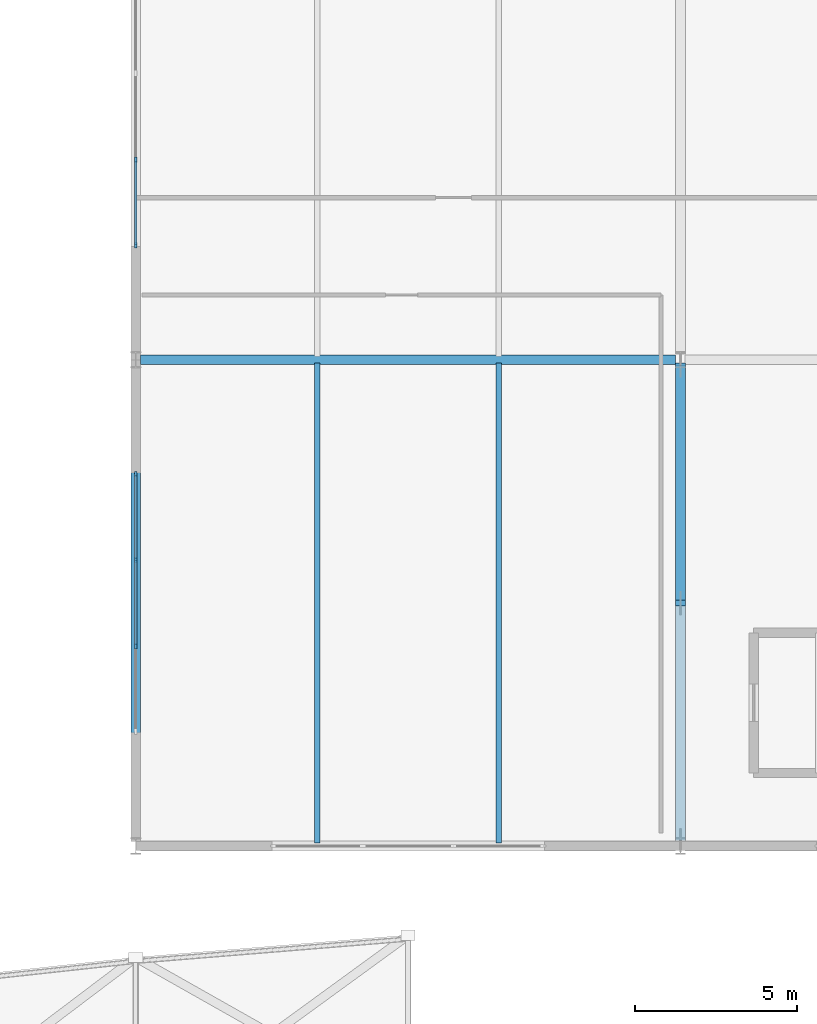
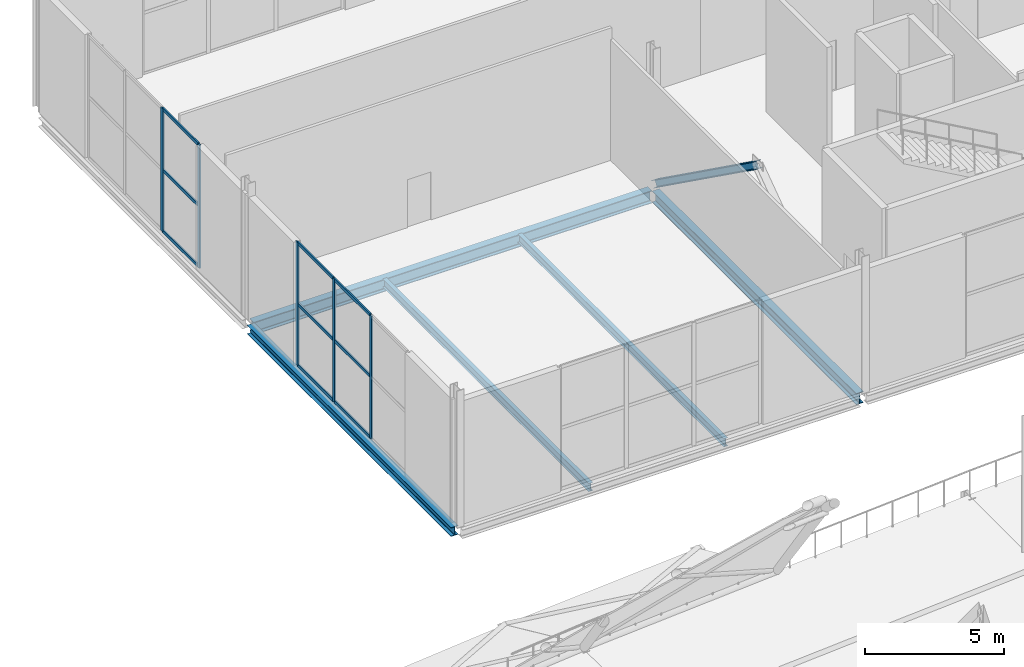
# One storey, part 29 of 100: 15 members, 5 beams, 2 elements without a shape of their own.
"""IFC4 building model written with IfcOpenShell, lengths in metres."""

import ifcopenshell
import ifcopenshell.guid

model = None  # the IFC model being written
_history = None  # IfcOwnerHistory: only IFC2X3 demands one
_inside = {}  # id of a spatial element -> (the spatial element, [elements in it])
_under = {}  # id of a project, library or spatial element -> (it, [spatial elements below it])
_declared = {}  # id of a project -> (the project, [libraries it declares])
_typed = {}  # id of a type object -> (the type object, [elements of that type])
_made_of = {}  # id of a material, layer set ... -> (it, [elements and type objects made of it])


def new_model(schema):
    """Start an empty IFC model of exactly this schema.

    Asked for "IFC4X3", IfcOpenShell would pick the latest addendum, in which some entities
    have other attributes; the version numbers below select the first issue.
    IFC2X3 requires an IfcOwnerHistory on every rooted entity: one is made here for all.
    """
    global model, _history
    if schema == "IFC4X3":
        model = ifcopenshell.file(schema_version=(4, 3, 0, 0))
    else:
        model = ifcopenshell.file(schema=schema)
    _inside.clear()
    _under.clear()
    _declared.clear()
    _typed.clear()
    _made_of.clear()
    _history = None
    if model.schema == "IFC2X3":
        org = make("IfcOrganization", Name="unknown")
        user = make(
            "IfcPersonAndOrganization",
            ThePerson=make("IfcPerson", FamilyName="unknown"),
            TheOrganization=org,
        )
        app = make(
            "IfcApplication",
            ApplicationDeveloper=org,
            Version="unknown",
            ApplicationFullName="unknown",
            ApplicationIdentifier="unknown",
        )
        _history = make(
            "IfcOwnerHistory",
            OwningUser=user,
            OwningApplication=app,
            ChangeAction="ADDED",
            CreationDate=0,
        )
    return model


def make(cls, **values):
    """One entity of the class cls with the attributes given. An attribute that is None is left unset."""
    return model.create_entity(
        cls, **{name: value for name, value in values.items() if value is not None}
    )


def rooted(cls, **values):
    """An entity with a GlobalId (a new one), such as an element, a storey or a relation."""
    return make(cls, GlobalId=ifcopenshell.guid.new(), OwnerHistory=_history, **values)


def si_unit(unit_type, name, prefix=None):
    """IfcSIUnit, for example si_unit("LENGTHUNIT", "METRE", prefix="MILLI")."""
    return make("IfcSIUnit", UnitType=unit_type, Prefix=prefix, Name=name)


def assignment(units):
    """IfcUnitAssignment: the units of a project."""
    return None if units is None else make("IfcUnitAssignment", Units=units)


def point(xyz):
    """IfcCartesianPoint."""
    return None if xyz is None else make("IfcCartesianPoint", Coordinates=xyz)


def direction(xyz):
    """IfcDirection."""
    return None if xyz is None else make("IfcDirection", DirectionRatios=xyz)


def frame(location, z_axis=None, x_axis=None):
    """IfcAxis2Placement3D, a coordinate frame: its origin and axes. An axis left out is left unset."""
    return make(
        "IfcAxis2Placement3D",
        Location=point(location),
        Axis=direction(z_axis),
        RefDirection=direction(x_axis),
    )


def frame_2d(location, x_axis=None):
    """IfcAxis2Placement2D, a coordinate frame in the plane: its origin and x axis."""
    return make(
        "IfcAxis2Placement2D", Location=point(location), RefDirection=direction(x_axis)
    )


def origin():
    """The frame at (0, 0, 0) with its axes left unset."""
    return frame((0.0, 0.0, 0.0))


def origin_2d():
    """The frame at (0, 0) in the plane with its x axis left unset."""
    return frame_2d((0.0, 0.0))


def place(relative_to, where):
    """IfcLocalPlacement: puts the frame where relative to a parent placement (None: the world)."""
    return make(
        "IfcLocalPlacement", PlacementRelTo=relative_to, RelativePlacement=where
    )


def context(
    kind, dimensions, precision=None, world=None, true_north=None, identifier=None
):
    """IfcGeometricRepresentationContext, for example the 3D "Model" context."""
    return make(
        "IfcGeometricRepresentationContext",
        ContextIdentifier=identifier,
        ContextType=kind,
        CoordinateSpaceDimension=dimensions,
        Precision=precision,
        WorldCoordinateSystem=world,
        TrueNorth=true_north,
    )


def subcontext(parent, identifier, kind, view, scale=None):
    """IfcGeometricRepresentationSubContext, for example "Body" below "Model"."""
    return make(
        "IfcGeometricRepresentationSubContext",
        ContextIdentifier=identifier,
        ContextType=kind,
        ParentContext=parent,
        TargetScale=scale,
        TargetView=view,
    )


def project(units=None, contexts=None):
    """IfcProject with its units and contexts."""
    return rooted(
        "IfcProject",
        Name="project",
        RepresentationContexts=contexts,
        UnitsInContext=assignment(units),
    )


def spatial(cls, under=None, at=None, **own):
    """A site, building, storey or space (cls), placed at a placement, below another one or the project."""
    s = rooted(cls, ObjectPlacement=at, **own)
    if under is not None:
        _under.setdefault(under.id(), (under, []))[1].append(s)
    return s


def profile(cls, at=None, kind="AREA", **sizes):
    """A parametric profile (cls). Its sizes go by their IFC names, for example OverallWidth=200.0."""
    return make(cls, ProfileType=kind, Position=at, **sizes)


def rectangle(**sizes):
    """IfcRectangleProfileDef."""
    return profile("IfcRectangleProfileDef", **sizes)


def i_section(**sizes):
    """IfcIShapeProfileDef."""
    return profile("IfcIShapeProfileDef", **sizes)


def extrude(swept, where, along, depth):
    """IfcExtrudedAreaSolid: the profile swept, set in the frame where, extruded along a direction by depth."""
    return make(
        "IfcExtrudedAreaSolid",
        SweptArea=swept,
        Position=where,
        ExtrudedDirection=direction(along),
        Depth=depth,
    )


def shape(context_of_items, identifier, shape_type, items):
    """IfcShapeRepresentation: the items that make up one representation, for example the "Body"."""
    return make(
        "IfcShapeRepresentation",
        ContextOfItems=context_of_items,
        RepresentationIdentifier=identifier,
        RepresentationType=shape_type,
        Items=items,
    )


def material(Name=None, Category=None):
    """IfcMaterial."""
    return make("IfcMaterial", Name=Name, Category=Category)


def material_profile(
    of_material, cross_section, Name=None, Category=None, Priority=None
):
    """IfcMaterialProfile: a cross section and its material."""
    return make(
        "IfcMaterialProfile",
        Name=Name,
        Material=of_material,
        Profile=cross_section,
        Priority=Priority,
        Category=Category,
    )


def profile_set(profiles, Name=None, composite=None):
    """IfcMaterialProfileSet."""
    return make(
        "IfcMaterialProfileSet",
        Name=Name,
        MaterialProfiles=profiles,
        CompositeProfile=composite,
    )


def made_of(thing, what):
    """Note that an element or type object is made of a material, layer set ...; save() writes the relation."""
    if what is not None:
        _made_of.setdefault(what.id(), (what, []))[1].append(thing)
    return thing


def type_object(cls, material=None, **own):
    """A type object (cls), such as IfcWallType, which elements share."""
    return made_of(rooted(cls, **own), material)


def element(
    cls,
    number,
    at=None,
    inside=None,
    cuts=None,
    type_object=None,
    material=None,
    context=None,
    identifier="Body",
    shape_type=None,
    held_by="IfcProductDefinitionShape",
    body=None,
    shapes=None,
    **own,
):
    """One element of the class cls, such as IfcWall. Its Tag is "e" and its number.

    at: its placement. inside: the storey or other place that contains it. cuts: it is an
    opening in that element (IfcRelVoidsElement). A single representation is given by context,
    identifier, shape_type and body (its items); several are given by shapes. held_by: the class
    of the entity that holds the representations. save() writes the other relations.
    """
    e = rooted(cls, Tag="e%d" % number, ObjectPlacement=at, **own)
    if body is not None:
        shapes = [shape(context, identifier, shape_type, body)]
    if shapes is not None:
        e.Representation = make(held_by, Representations=shapes)
    if inside is not None:
        _inside.setdefault(inside.id(), (inside, []))[1].append(e)
    if cuts is not None:
        rooted(
            "IfcRelVoidsElement", RelatingBuildingElement=cuts, RelatedOpeningElement=e
        )
    if type_object is not None:
        _typed.setdefault(type_object.id(), (type_object, []))[1].append(e)
    return made_of(e, material)


def aggregate(whole, parts):
    """IfcRelAggregates: a whole, such as a stair, and the parts it consists of."""
    return rooted("IfcRelAggregates", RelatingObject=whole, RelatedObjects=parts)


def save(model, path):
    """Write the relations noted so far, then the file.

    IfcRelAggregates (storeys below a building ...), IfcRelContainedInSpatialStructure (elements
    in a storey), IfcRelDefinesByType, IfcRelAssociatesMaterial and IfcRelDeclares: one each for
    every whole, place, type object, material and project.
    """
    for whole, parts in _under.values():
        aggregate(whole, parts)
    for where, things in _inside.values():
        rooted(
            "IfcRelContainedInSpatialStructure",
            RelatedElements=things,
            RelatingStructure=where,
        )
    for kind, things in _typed.values():
        rooted("IfcRelDefinesByType", RelatedObjects=things, RelatingType=kind)
    for what, things in _made_of.values():
        rooted("IfcRelAssociatesMaterial", RelatedObjects=things, RelatingMaterial=what)
    for by, libraries in _declared.values():
        rooted("IfcRelDeclares", RelatingContext=by, RelatedDefinitions=libraries)
    model.write(path)


model = new_model("IFC4")

# Units and contexts
model_context = context("Model", 3, precision=1e-05, world=origin(), true_north=direction((0.0, 1.0)))
body_context = subcontext(model_context, "Body", "Model", "MODEL_VIEW")
ifc_project = project(units=[si_unit("LENGTHUNIT", "METRE"), si_unit("AREAUNIT", "SQUARE_METRE"), si_unit("VOLUMEUNIT", "CUBIC_METRE"), si_unit("PLANEANGLEUNIT", "RADIAN"), si_unit("MASSUNIT", "GRAM", prefix="KILO")], contexts=[model_context])

# Site, building, storey
site_placement = place(None, origin())
site = spatial("IfcSite", under=ifc_project, at=site_placement, CompositionType="ELEMENT")
building_placement = place(site_placement, origin())
building = spatial("IfcBuilding", under=site, at=building_placement, Name="Kimbaza Rail Terminus", CompositionType="ELEMENT")
storey_placement = place(building_placement, frame((0.0, 0.0, 10.800048828125)))
storey = spatial("IfcBuildingStorey", under=building, at=storey_placement, Name="L02", CompositionType="ELEMENT", Elevation=10.800048828125)

# Curtain wall, members
ifc_material_1 = material(Name="Anodised aluminium framing and solar low-E glazing", Category="aluminium")
curtain_wall_type = type_object("IfcCurtainWallType", Name="ARC-CW-OP1", PredefinedType="USERDEFINED", material=ifc_material_1)
curtain_wall_1_placement = place(storey_placement, origin())
curtain_wall_1 = element("IfcCurtainWall", 1, at=curtain_wall_1_placement, inside=storey, type_object=curtain_wall_type, Name="Operations W Curtain Wall L02.1", ObjectType="UNITISED CURTAIN WALL", PredefinedType="USERDEFINED")
ifc_material_2 = material(Name="Anodised architectural aluminium", Category="aluminium")
ifc_material_profile_1 = material_profile(ifc_material_2, rectangle(XDim=0.06201171875, YDim=0.1650390625, at=origin_2d()), Name="MULLION 62x165")
ifc_profile_set_1 = profile_set([ifc_material_profile_1], Name="Anodised architectural aluminium")
member_type_1 = type_object("IfcMemberType", Name="ARC-CWM-05", PredefinedType="MULLION", material=ifc_profile_set_1)
member_1_placement = place(storey_placement, frame((55.199951171875, 109.166748046875, 0.0), z_axis=(0.0, 0.0, 1.0), x_axis=(-1.0, 0.0, 0.0)))
member_1 = element("IfcMember", 2, at=member_1_placement, type_object=member_type_1, Name="CW-05 mullion 2", PredefinedType="MULLION", context=body_context, shape_type="SweptSolid", body=[
    extrude(rectangle(XDim=0.06201171875, YDim=0.1650390625, at=origin_2d()), origin(), (0.0, 0.0, 1.0), 5.405029296875),
])
member_2_placement = place(storey_placement, frame((55.199951171875, 111.833251953125, 0.0), z_axis=(0.0, 0.0, 1.0), x_axis=(-1.0, 0.0, 0.0)))
member_2 = element("IfcMember", 3, at=member_2_placement, type_object=member_type_1, Name="CW-05 mullion 3", PredefinedType="MULLION", context=body_context, shape_type="SweptSolid", body=[
    extrude(rectangle(XDim=0.06201171875, YDim=0.1650390625, at=origin_2d()), origin(), (0.0, 0.0, 1.0), 5.405029296875),
])
member_3_placement = place(storey_placement, frame((55.199951171875, 114.468994140625, 0.0), z_axis=(0.0, 0.0, 1.0), x_axis=(-1.0, 0.0, 0.0)))
member_3 = element("IfcMember", 4, at=member_3_placement, type_object=member_type_1, Name="CW-05 mullion 4", PredefinedType="MULLION", context=body_context, shape_type="SweptSolid", body=[
    extrude(rectangle(XDim=0.06201171875, YDim=0.1650390625, at=origin_2d()), origin(), (0.0, 0.0, 1.0), 5.405029296875),
])

curtain_wall_2_placement = place(storey_placement, origin())
curtain_wall_2 = element("IfcCurtainWall", 5, at=curtain_wall_2_placement, inside=storey, type_object=curtain_wall_type, Name="Operations W Curtain Wall L02.2", ObjectType="UNITISED CURTAIN WALL", PredefinedType="USERDEFINED")
member_4_placement = place(storey_placement, frame((55.199951171875, 121.531005859375, 0.0), z_axis=(0.0, 0.0, 1.0), x_axis=(-1.0, 0.0, 0.0)))
member_4 = element("IfcMember", 6, at=member_4_placement, type_object=member_type_1, Name="CW-05 mullion 1", PredefinedType="MULLION", context=body_context, shape_type="SweptSolid", body=[
    extrude(rectangle(XDim=0.06201171875, YDim=0.1650390625, at=origin_2d()), origin(), (0.0, 0.0, 1.0), 5.405029296875),
])
member_5_placement = place(storey_placement, frame((55.199951171875, 124.166748046875, 0.0), z_axis=(0.0, 0.0, 1.0), x_axis=(-1.0, 0.0, 0.0)))
member_5 = element("IfcMember", 7, at=member_5_placement, type_object=member_type_1, Name="CW-05 mullion 2", PredefinedType="MULLION", context=body_context, shape_type="SweptSolid", body=[
    extrude(rectangle(XDim=0.06201171875, YDim=0.1650390625, at=origin_2d()), origin(), (0.0, 0.0, 1.0), 5.405029296875),
])

# Member
ifc_material_3 = material(Name="Anodised architectural aluminium", Category="aluminium")
ifc_material_profile_2 = material_profile(ifc_material_3, rectangle(XDim=0.06201171875, YDim=0.135009765625, at=origin_2d()), Name="TRANSOM 62x135")
ifc_profile_set_2 = profile_set([ifc_material_profile_2], Name="Anodised architectural aluminium")
member_type_2 = type_object("IfcMemberType", Name="ARC-CWT-05", PredefinedType="USERDEFINED", material=ifc_profile_set_2)
member_6_placement = place(storey_placement, frame((55.199951171875, 109.19775390625, 0.031005859375), z_axis=(0.0, 1.0, 0.0), x_axis=(-1.0, 0.0, 0.0)))
member_6 = element("IfcMember", 8, at=member_6_placement, type_object=member_type_2, Name="CW-05 transom 2.1", ObjectType="TRANSOM", PredefinedType="USERDEFINED", context=body_context, shape_type="SweptSolid", body=[
    extrude(rectangle(XDim=0.06201171875, YDim=0.135009765625, at=origin_2d()), origin(), (0.0, 0.0, 1.0), 2.6044921875),
])

member_7_placement = place(storey_placement, frame((55.199951171875, 109.19775390625, 2.702392578125), z_axis=(0.0, 1.0, 0.0), x_axis=(-1.0, 0.0, 0.0)))
member_7 = element("IfcMember", 9, at=member_7_placement, type_object=member_type_2, Name="CW-05 transom 2.2", ObjectType="TRANSOM", PredefinedType="USERDEFINED", context=body_context, shape_type="SweptSolid", body=[
    extrude(rectangle(XDim=0.06201171875, YDim=0.135009765625, at=origin_2d()), origin(), (0.0, 0.0, 1.0), 2.6044921875),
])

member_8_placement = place(storey_placement, frame((55.199951171875, 109.19775390625, 5.3740234375), z_axis=(0.0, 1.0, 0.0), x_axis=(-1.0, 0.0, 0.0)))
member_8 = element("IfcMember", 10, at=member_8_placement, type_object=member_type_2, Name="CW-05 transom 2.3", ObjectType="TRANSOM", PredefinedType="USERDEFINED", context=body_context, shape_type="SweptSolid", body=[
    extrude(rectangle(XDim=0.06201171875, YDim=0.135009765625, at=origin_2d()), origin(), (0.0, 0.0, 1.0), 2.6044921875),
])

member_9_placement = place(storey_placement, frame((55.199951171875, 111.8642578125, 0.031005859375), z_axis=(0.0, 1.0, 0.0), x_axis=(-1.0, 0.0, 0.0)))
member_9 = element("IfcMember", 11, at=member_9_placement, type_object=member_type_2, Name="CW-05 transom 3.1", ObjectType="TRANSOM", PredefinedType="USERDEFINED", context=body_context, shape_type="SweptSolid", body=[
    extrude(rectangle(XDim=0.06201171875, YDim=0.135009765625, at=origin_2d()), origin(), (0.0, 0.0, 1.0), 2.57373046875),
])

member_10_placement = place(storey_placement, frame((55.199951171875, 111.8642578125, 2.702392578125), z_axis=(0.0, 1.0, 0.0), x_axis=(-1.0, 0.0, 0.0)))
member_10 = element("IfcMember", 12, at=member_10_placement, type_object=member_type_2, Name="CW-05 transom 3.2", ObjectType="TRANSOM", PredefinedType="USERDEFINED", context=body_context, shape_type="SweptSolid", body=[
    extrude(rectangle(XDim=0.06201171875, YDim=0.135009765625, at=origin_2d()), origin(), (0.0, 0.0, 1.0), 2.57373046875),
])

member_11_placement = place(storey_placement, frame((55.199951171875, 111.8642578125, 5.3740234375), z_axis=(0.0, 1.0, 0.0), x_axis=(-1.0, 0.0, 0.0)))
member_11 = element("IfcMember", 13, at=member_11_placement, type_object=member_type_2, Name="CW-05 transom 3.3", ObjectType="TRANSOM", PredefinedType="USERDEFINED", context=body_context, shape_type="SweptSolid", body=[
    extrude(rectangle(XDim=0.06201171875, YDim=0.135009765625, at=origin_2d()), origin(), (0.0, 0.0, 1.0), 2.57373046875),
])

aggregate(curtain_wall_1, [member_1, member_2, member_3, member_6, member_7, member_8, member_9, member_10, member_11])

member_12_placement = place(storey_placement, frame((55.199951171875, 121.56201171875, 0.031005859375), z_axis=(0.0, 1.0, 0.0), x_axis=(-1.0, 0.0, 0.0)))
member_12 = element("IfcMember", 14, at=member_12_placement, type_object=member_type_2, Name="CW-05 transom 1.1", ObjectType="TRANSOM", PredefinedType="USERDEFINED", context=body_context, shape_type="SweptSolid", body=[
    extrude(rectangle(XDim=0.06201171875, YDim=0.135009765625, at=origin_2d()), origin(), (0.0, 0.0, 1.0), 2.57373046875),
])

member_13_placement = place(storey_placement, frame((55.199951171875, 121.56201171875, 2.702392578125), z_axis=(0.0, 1.0, 0.0), x_axis=(-1.0, 0.0, 0.0)))
member_13 = element("IfcMember", 15, at=member_13_placement, type_object=member_type_2, Name="CW-05 transom 1.2", ObjectType="TRANSOM", PredefinedType="USERDEFINED", context=body_context, shape_type="SweptSolid", body=[
    extrude(rectangle(XDim=0.06201171875, YDim=0.135009765625, at=origin_2d()), origin(), (0.0, 0.0, 1.0), 2.57373046875),
])

member_14_placement = place(storey_placement, frame((55.199951171875, 121.56201171875, 5.3740234375), z_axis=(0.0, 1.0, 0.0), x_axis=(-1.0, 0.0, 0.0)))
member_14 = element("IfcMember", 16, at=member_14_placement, type_object=member_type_2, Name="CW-05 transom 1.3", ObjectType="TRANSOM", PredefinedType="USERDEFINED", context=body_context, shape_type="SweptSolid", body=[
    extrude(rectangle(XDim=0.06201171875, YDim=0.135009765625, at=origin_2d()), origin(), (0.0, 0.0, 1.0), 2.57373046875),
])

aggregate(curtain_wall_2, [member_4, member_5, member_12, member_13, member_14])

# Beams
ifc_material_4 = material(Name="Steel S355", Category="steel")
ifc_material_profile_3 = material_profile(ifc_material_4, i_section(OverallWidth=0.300048828125, OverallDepth=0.389892578125, WebThickness=0.010986328125, FlangeThickness=0.01904296875, FilletRadius=0.027099609375, at=origin_2d()), Name="HEA 400")
ifc_profile_set_3 = profile_set([ifc_material_profile_3], Name="Steel S355")
beam_type_1 = type_object("IfcBeamType", Name="STR-BM-HEA400", PredefinedType="SPANDREL", material=ifc_profile_set_3)
beam_1_placement = place(storey_placement, frame((55.199951171875, 103.175048828125, -0.43505859375), z_axis=(0.0, 1.0, 0.0), x_axis=(-1.0, 0.0, 0.0)))
element("IfcBeam", 17, at=beam_1_placement, inside=storey, type_object=beam_type_1, Name="Operations Cross Girder L02 X0-Y0", PredefinedType="SPANDREL", context=body_context, shape_type="SweptSolid", body=[
    extrude(i_section(OverallWidth=0.300048828125, OverallDepth=0.389892578125, WebThickness=0.010986328125, FlangeThickness=0.01904296875, FilletRadius=0.027099609375, at=origin_2d()), origin(), (0.0, 0.0, 1.0), 14.64990234375),
])
ifc_material_5 = material(Name="Steel S355", Category="steel")
ifc_material_profile_4 = material_profile(ifc_material_5, i_section(OverallWidth=0.300048828125, OverallDepth=0.5, WebThickness=0.014404296875, FlangeThickness=0.028076171875, FilletRadius=0.027099609375, at=origin_2d()), Name="HEB 500")
ifc_profile_set_4 = profile_set([ifc_material_profile_4], Name="Steel S355")
beam_type_2 = type_object("IfcBeamType", Name="STR-BM-HEB500", PredefinedType="BEAM", material=ifc_profile_set_4)
beam_2_placement = place(storey_placement, frame((72.0, 103.175048828125, -0.489990234375), z_axis=(0.0, 1.0, 0.0), x_axis=(-1.0, 0.0, 0.0)))
element("IfcBeam", 18, at=beam_2_placement, inside=storey, type_object=beam_type_2, Name="Operations Cross Girder L02 X1-Y0", PredefinedType="BEAM", context=body_context, shape_type="SweptSolid", body=[
    extrude(i_section(OverallWidth=0.300048828125, OverallDepth=0.5, WebThickness=0.014404296875, FlangeThickness=0.028076171875, FilletRadius=0.027099609375, at=origin_2d()), origin(), (0.0, 0.0, 1.0), 14.64990234375),
])
ifc_material_6 = material(Name="Steel S355", Category="steel")
ifc_material_profile_5 = material_profile(ifc_material_6, i_section(OverallWidth=0.300048828125, OverallDepth=0.550048828125, WebThickness=0.014892578125, FlangeThickness=0.029052734375, FilletRadius=0.027099609375, at=origin_2d()), Name="HEB 550")
ifc_profile_set_5 = profile_set([ifc_material_profile_5], Name="Steel S355")
beam_type_3 = type_object("IfcBeamType", Name="STR-BM-HEB550", PredefinedType="BEAM", material=ifc_profile_set_5)
beam_3_placement = place(storey_placement, frame((55.345947265625, 118.0, -0.51513671875), z_axis=(1.0, 0.0, 0.0), x_axis=(0.0, 1.0, 0.0)))
element("IfcBeam", 19, at=beam_3_placement, inside=storey, type_object=beam_type_3, Name="Operations Girder L02 X0-Y1", PredefinedType="BEAM", context=body_context, shape_type="SweptSolid", body=[
    extrude(i_section(OverallWidth=0.300048828125, OverallDepth=0.550048828125, WebThickness=0.014892578125, FlangeThickness=0.029052734375, FilletRadius=0.027099609375, at=origin_2d()), origin(), (0.0, 0.0, 1.0), 16.508056640625),
])
ifc_material_7 = material(Name="Steel S355", Category="steel")
ifc_material_profile_6 = material_profile(ifc_material_7, i_section(OverallWidth=0.169921875, OverallDepth=0.360107421875, WebThickness=0.008056640625, FlangeThickness=0.0126953125, FilletRadius=0.01806640625, at=origin_2d()), Name="IPE 360")
ifc_profile_set_6 = profile_set([ifc_material_profile_6], Name="Steel S355")
beam_type_4 = type_object("IfcBeamType", Name="STR-BM-IPE360", PredefinedType="JOIST", material=ifc_profile_set_6)
for number, where, z_axis, x_axis, name in (
    (20, (60.800048828125, 103.10009765625, -0.420166015625), (0.0, 1.0, 0.0), (-1.0, 0.0, 0.0), "Operations Secondary Joist L02"),
    (21, (66.39990234375, 103.10009765625, -0.420166015625), (0.0, 1.0, 0.0), (-1.0, 0.0, 0.0), "Operations Secondary Joist L02"),
):
    element("IfcBeam", number, at=place(storey_placement, frame(where, z_axis=z_axis, x_axis=x_axis)), inside=storey, type_object=beam_type_4, Name=name, PredefinedType="JOIST", context=body_context, shape_type="SweptSolid", body=[
        extrude(i_section(OverallWidth=0.169921875, OverallDepth=0.360107421875, WebThickness=0.008056640625, FlangeThickness=0.0126953125, FilletRadius=0.01806640625, at=origin_2d()), origin(), (0.0, 0.0, 1.0), 14.7998046875),
    ])

# Member
ifc_material_8 = material(Name="Steel S355", Category="steel")
ifc_material_profile_7 = material_profile(ifc_material_8, i_section(OverallWidth=0.300048828125, OverallDepth=0.300048828125, WebThickness=0.010986328125, FlangeThickness=0.01904296875, FilletRadius=0.027099609375, at=origin_2d()), Name="HEB 300")
ifc_profile_set_7 = profile_set([ifc_material_profile_7], Name="Steel S355")
member_type_3 = type_object("IfcMemberType", Name="STR-MB-HEB300", PredefinedType="BRACE", material=ifc_profile_set_7)
member_15_placement = place(storey_placement, frame((72.0, 117.820068359375, 0.050048828125), z_axis=(0.0, -0.812609404068, 0.582808679088), x_axis=(1.0, 0.0, 0.0)))
element("IfcMember", 22, at=member_15_placement, inside=storey, type_object=member_type_3, Name="Core Chevron Brace 3B", PredefinedType="BRACE", context=body_context, shape_type="SweptSolid", body=[
    extrude(i_section(OverallWidth=0.300048828125, OverallDepth=0.300048828125, WebThickness=0.010986328125, FlangeThickness=0.01904296875, FilletRadius=0.027099609375, at=origin_2d()), origin(), (0.0, 0.0, 1.0), 9.008056640625),
])

save(model, "model.ifc")
